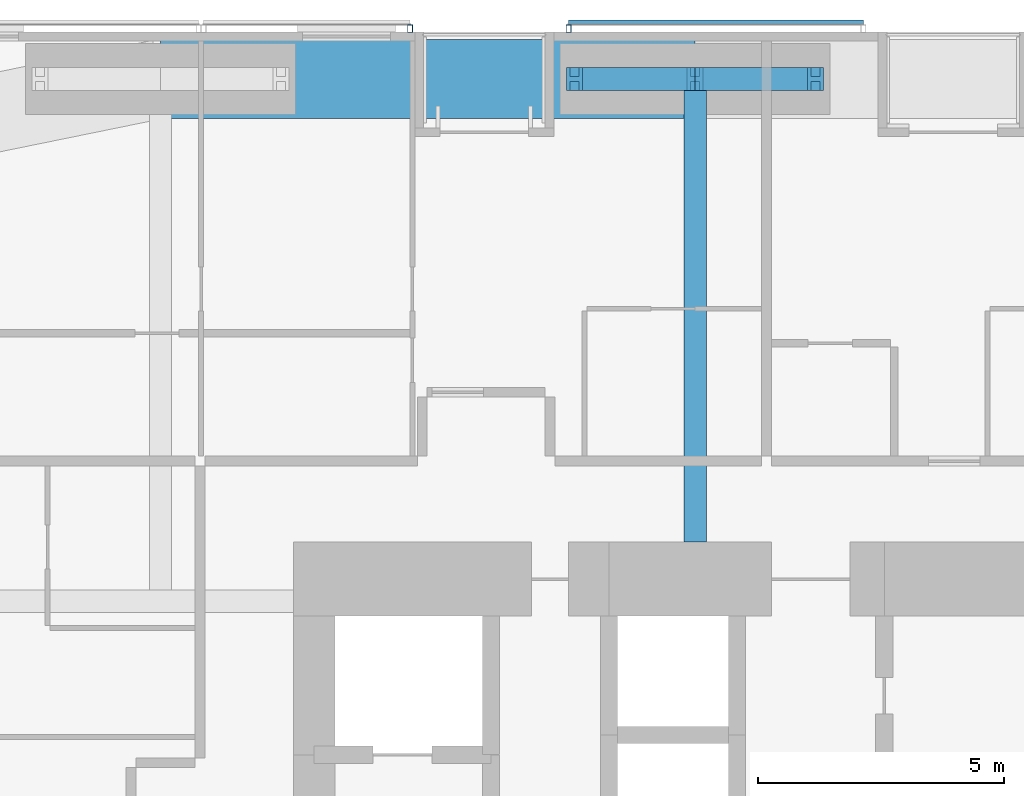
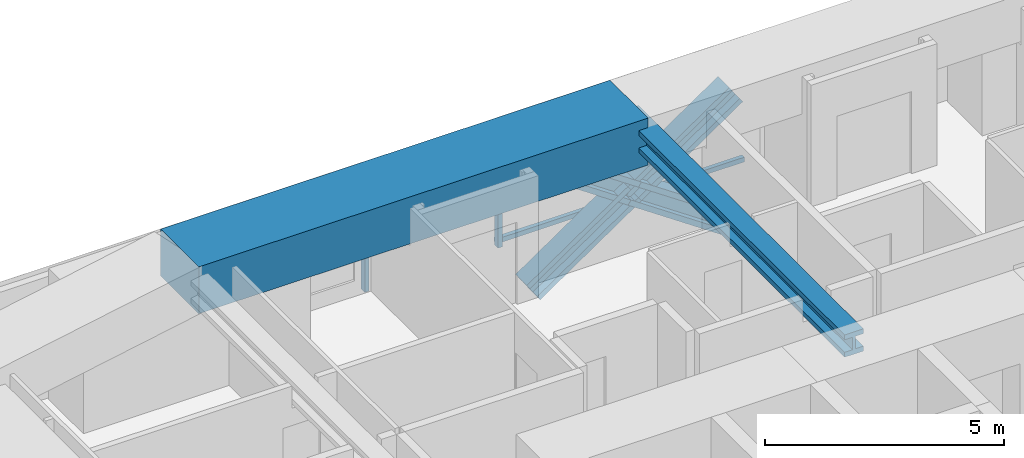
# One storey, part 13 of 25: 7 members, 2 beams, 2 elements without a shape of their own.
"""IFC4 building model written with IfcOpenShell, lengths in metres."""

from ifc_helpers import new_model, si_unit, direction, frame, origin, origin_2d, place, context, subcontext, project, spatial, rectangle, hollow_rectangle, i_section, extrude, material, material_profile, profile_set, type_object, element, aggregate, save


model = new_model("IFC4")

# Units and contexts
model_context = context("Model", 3, precision=1e-05, world=origin(), true_north=direction((0.0, 1.0)))
body_context = subcontext(model_context, "Body", "Model", "MODEL_VIEW")
ifc_project = project(units=[si_unit("LENGTHUNIT", "METRE"), si_unit("AREAUNIT", "SQUARE_METRE"), si_unit("VOLUMEUNIT", "CUBIC_METRE"), si_unit("PLANEANGLEUNIT", "RADIAN"), si_unit("MASSUNIT", "GRAM", prefix="KILO")], contexts=[model_context])

# Site, building, storey
site_placement = place(None, origin())
site = spatial("IfcSite", under=ifc_project, at=site_placement, CompositionType="ELEMENT")
building_placement = place(site_placement, origin())
building = spatial("IfcBuilding", under=site, at=building_placement, Name="Jalousie Tower", CompositionType="ELEMENT")
storey_placement = place(building_placement, frame((0.0, 0.0, 94.800048828125)))
storey = spatial("IfcBuildingStorey", under=building, at=storey_placement, Name="L25", CompositionType="ELEMENT", Elevation=94.800048828125)

# Beam
ifc_material_1 = material(Name="Steel ASTM A992 Grade 50", Category="steel")
ifc_material_profile_1 = material_profile(ifc_material_1, i_section(OverallWidth=0.45458984375, OverallDepth=0.569091796875, WebThickness=0.077880859375, FlangeThickness=0.124755859375, at=origin_2d()), Name="W14X730")
ifc_profile_set_1 = profile_set([ifc_material_profile_1], Name="Steel ASTM A992 Grade 50")
beam_type_1 = type_object("IfcBeamType", Name="LEAN COLLECTOR W14X730", PredefinedType="BEAM", material=ifc_profile_set_1)
beam_1_placement = place(storey_placement, frame((27.75, 37.050048828125, 2.825439453125), z_axis=(0.0, -1.0, 0.0), x_axis=(1.0, 0.0, 0.0)))
element("IfcBeam", 1, at=beam_1_placement, inside=storey, type_object=beam_type_1, Name="Lean collector under L26", PredefinedType="BEAM", context=body_context, shape_type="SweptSolid", body=[
    extrude(i_section(OverallWidth=0.45458984375, OverallDepth=0.569091796875, WebThickness=0.077880859375, FlangeThickness=0.124755859375, at=origin_2d()), origin(), (0.0, 0.0, 1.0), 9.425048828125),
])

# Members
ifc_material_2 = material(Name="Steel ASTM A992 Grade 50", Category="steel")
ifc_material_profile_2 = material_profile(ifc_material_2, i_section(OverallWidth=0.472412109375, OverallDepth=0.5791015625, WebThickness=0.094970703125, FlangeThickness=0.1298828125, at=origin_2d()), Name="W14X808")
ifc_profile_set_2 = profile_set([ifc_material_profile_2], Name="Steel ASTM A992 Grade 50")
member_type_1 = type_object("IfcMemberType", Name="PERIMETER BRACE W14X808", PredefinedType="BRACE", material=ifc_profile_set_2)
for number, where, z_axis, x_axis, name in (
    (2, (25.300048828125, 37.050048828125, -0.60009765625), (0.825500916831, 0.0, 0.564400776321), (0.0, 1.0, 0.0), "Perimeter brace 10 L25 part 1"),
    (3, (27.75, 37.050048828125, 1.074951171875), (0.825500916831, 0.0, 0.564400776321), (0.0, 1.0, 0.0), "Perimeter brace 10 L25 part 2"),
    (4, (30.199951171875, 37.050048828125, -0.60009765625), (-0.825500916831, 0.0, 0.564400776321), (0.0, -1.0, 0.0), "Perimeter brace 10 L25 part 3"),
    (5, (27.75, 37.050048828125, 1.074951171875), (-0.825500916831, 0.0, 0.564400776321), (0.0, -1.0, 0.0), "Perimeter brace 10 L25 part 4"),
):
    element("IfcMember", number, at=place(storey_placement, frame(where, z_axis=z_axis, x_axis=x_axis)), inside=storey, type_object=member_type_1, Name=name, PredefinedType="BRACE", context=body_context, shape_type="SweptSolid", body=[
        extrude(i_section(OverallWidth=0.472412109375, OverallDepth=0.5791015625, WebThickness=0.094970703125, FlangeThickness=0.1298828125, at=origin_2d()), origin(), (0.0, 0.0, 1.0), 2.9677734375),
    ])

# Beam
ifc_material_3 = material(Name="Concrete f'c 40 MPa", Category="concrete")
ifc_material_profile_3 = material_profile(ifc_material_3, rectangle(XDim=1.60009765625, YDim=1.199951171875, at=origin_2d()), Name="RC 1600x1200")
ifc_profile_set_3 = profile_set([ifc_material_profile_3], Name="Concrete f'c 40 MPa")
beam_type_2 = type_object("IfcBeamType", Name="RC BEAM 1600x1200", PredefinedType="BEAM", material=ifc_profile_set_3)
beam_2_placement = place(storey_placement, frame((27.75, 37.050048828125, 2.75), z_axis=(-1.0, 0.0, 0.0), x_axis=(0.0, -1.0, 0.0)))
element("IfcBeam", 6, at=beam_2_placement, inside=storey, type_object=beam_type_2, Name="Edge band beam 10-11 under L26", PredefinedType="BEAM", context=body_context, shape_type="SweptSolid", body=[
    extrude(rectangle(XDim=1.60009765625, YDim=1.199951171875, at=origin_2d()), origin(), (0.0, 0.0, 1.0), 10.875),
])

# Curtain wall, member
ifc_material_4 = material(Name="Perforated aluminium sheet", Category="aluminium")
curtain_wall_type = type_object("IfcCurtainWallType", Name="SOLAR SCREEN SS-1", PredefinedType="USERDEFINED", material=ifc_material_4)
curtain_wall_1_placement = place(storey_placement, origin())
curtain_wall_1 = element("IfcCurtainWall", 7, at=curtain_wall_1_placement, inside=storey, type_object=curtain_wall_type, Name="Solar screen L25", ObjectType="SOLAR SCREEN SS-1", PredefinedType="USERDEFINED")
ifc_material_5 = material(Name="Steel ASTM A500 Grade C", Category="steel")
ifc_material_profile_4 = material_profile(ifc_material_5, hollow_rectangle(XDim=0.1015625, YDim=0.15234375, WallThickness=0.00634765625, at=origin_2d()), Name="HSS6X4X1/4")
ifc_profile_set_4 = profile_set([ifc_material_profile_4], Name="Steel ASTM A500 Grade C")
member_type_2 = type_object("IfcMemberType", Name="SOLAR SCREEN SS-1 MULLION", PredefinedType="MULLION", material=ifc_profile_set_4)
member_1_placement = place(storey_placement, frame((25.175048828125, 38.0712890625, -0.1201171875), z_axis=(0.0, 0.0, 1.0), x_axis=(-1.0, 0.0, 0.0)))
member_1 = element("IfcMember", 8, at=member_1_placement, type_object=member_type_2, Name="SS1 post 2", PredefinedType="MULLION", context=body_context, shape_type="SweptSolid", body=[
    extrude(hollow_rectangle(XDim=0.1015625, YDim=0.15234375, WallThickness=0.00634765625, at=origin_2d()), origin(), (0.0, 0.0, 1.0), 3.22998046875),
])

curtain_wall_2_placement = place(storey_placement, origin())
curtain_wall_2 = element("IfcCurtainWall", 9, at=curtain_wall_2_placement, inside=storey, type_object=curtain_wall_type, Name="Solar screen L25", ObjectType="SOLAR SCREEN SS-1", PredefinedType="USERDEFINED")
member_2_placement = place(storey_placement, frame((21.949951171875, 38.0712890625, -0.1201171875), z_axis=(0.0, 0.0, 1.0), x_axis=(-1.0, 0.0, 0.0)))
member_2 = element("IfcMember", 10, at=member_2_placement, type_object=member_type_2, Name="SS1 post 1", PredefinedType="MULLION", context=body_context, shape_type="SweptSolid", body=[
    extrude(hollow_rectangle(XDim=0.1015625, YDim=0.15234375, WallThickness=0.00634765625, at=origin_2d()), origin(), (0.0, 0.0, 1.0), 3.22998046875),
])
aggregate(curtain_wall_2, [member_2])

# Member
ifc_material_6 = material(Name="Extruded aluminium screen rail", Category="aluminium")
ifc_material_profile_5 = material_profile(ifc_material_6, rectangle(XDim=0.1015625, YDim=0.1201171875, at=origin_2d()), Name="RAIL 102x120")
ifc_profile_set_5 = profile_set([ifc_material_profile_5], Name="Extruded aluminium screen rail")
member_type_3 = type_object("IfcMemberType", Name="SOLAR SCREEN SS-1 TRANSOM", PredefinedType="USERDEFINED", material=ifc_profile_set_5)
member_3_placement = place(storey_placement, frame((31.175048828125, 38.1982421875, -0.06005859375), z_axis=(-1.0, 0.0, 0.0), x_axis=(0.0, -1.0, 0.0)))
member_3 = element("IfcMember", 11, at=member_3_placement, type_object=member_type_3, Name="SS1 rail", ObjectType="TRANSOM", PredefinedType="USERDEFINED", context=body_context, shape_type="SweptSolid", body=[
    extrude(rectangle(XDim=0.1015625, YDim=0.1201171875, at=origin_2d()), origin(), (0.0, 0.0, 1.0), 6.0),
])

aggregate(curtain_wall_1, [member_1, member_3])

save(model, "model.ifc")
